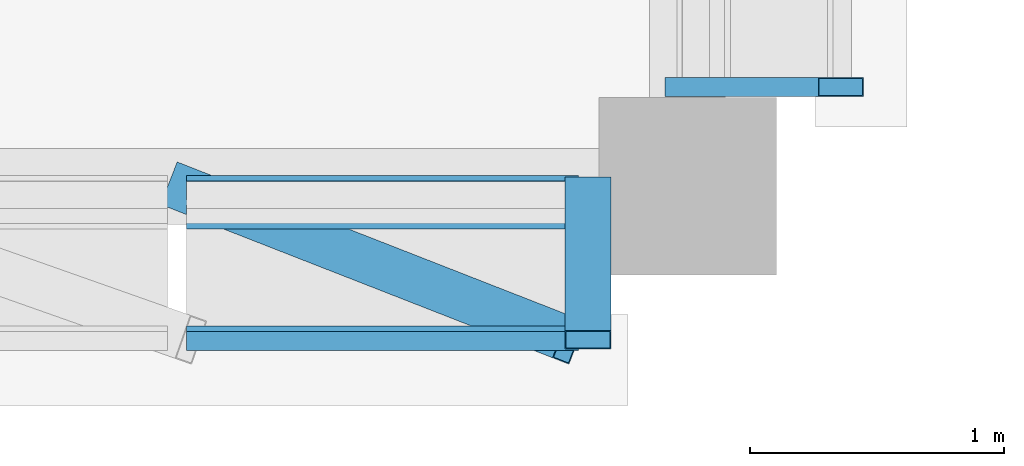
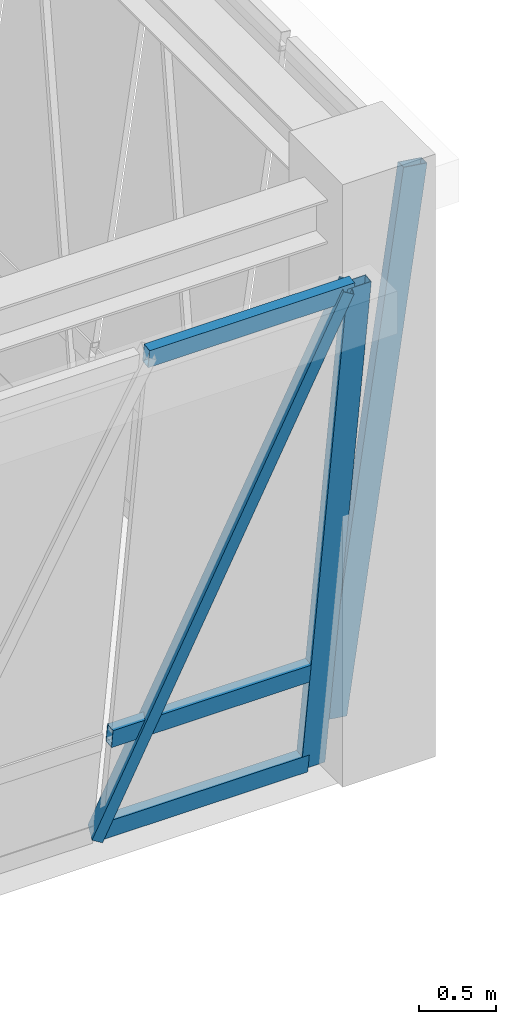
# One storey, part 50 of 92: 6 members, 2 elements without a shape of their own.
"""IFC4 building model written with IfcOpenShell, lengths in metres."""

from ifc_helpers import new_model, si_unit, direction, frame, origin, origin_2d, place, context, subcontext, project, spatial, hollow_rectangle, extrude, material, material_profile, profile_set, type_object, element, aggregate, save


model = new_model("IFC4")

# Units and contexts
model_context = context("Model", 3, precision=1e-05, world=origin(), true_north=direction((0.0, 1.0)))
body_context = subcontext(model_context, "Body", "Model", "MODEL_VIEW")
ifc_project = project(units=[si_unit("LENGTHUNIT", "METRE"), si_unit("AREAUNIT", "SQUARE_METRE"), si_unit("VOLUMEUNIT", "CUBIC_METRE"), si_unit("PLANEANGLEUNIT", "RADIAN"), si_unit("MASSUNIT", "GRAM", prefix="KILO")], contexts=[model_context])

# Site, building, storey
site_placement = place(None, origin())
site = spatial("IfcSite", under=ifc_project, at=site_placement, CompositionType="ELEMENT")
building_placement = place(site_placement, origin())
building = spatial("IfcBuilding", under=site, at=building_placement, Name="Lykobir Media Centre", CompositionType="ELEMENT")
storey_placement = place(building_placement, frame((0.0, 0.0, 5.39990234375)))
storey = spatial("IfcBuildingStorey", under=building, at=storey_placement, Name="L01", CompositionType="ELEMENT", Elevation=5.39990234375)

# Curtain wall, members
ifc_material = material(Name="Anodized Aluminium AW-6060", Category="aluminium")
curtain_wall_type = type_object("IfcCurtainWallType", Name="CW-V6-CR1", PredefinedType="NOTDEFINED", material=ifc_material)
curtain_wall_1_placement = place(storey_placement, origin())
curtain_wall_1 = element("IfcCurtainWall", 1, at=curtain_wall_1_placement, inside=storey, type_object=curtain_wall_type, Name="Curtain wall CW2-L01-0057", PredefinedType="NOTDEFINED")
ifc_material_profile_1 = material_profile(ifc_material, hollow_rectangle(XDim=0.074951171875, YDim=0.179931640625, WallThickness=0.00390625, at=origin_2d()), Name="ALU MULLION 75x180")
ifc_profile_set_1 = profile_set([ifc_material_profile_1], Name="Anodized Aluminium AW-6060")
member_type_1 = type_object("IfcMemberType", Name="CWM-180", PredefinedType="MULLION", material=ifc_profile_set_1)
member_1_placement = place(storey_placement, frame((78.987060546875, 63.0, 0.0), z_axis=(0.34256027137, -0.133993559544, 0.929891491777), x_axis=(-0.865999136953, 0.338738366998, 0.367833948298)))
member_1 = element("IfcMember", 2, at=member_1_placement, type_object=member_type_1, Name="CW2-L01-0057 mullion 5", PredefinedType="MULLION", context=body_context, shape_type="SweptSolid", body=[
    extrude(hollow_rectangle(XDim=0.074951171875, YDim=0.179931640625, WallThickness=0.00390625, at=origin_2d()), origin(), (0.0, 0.0, 1.0), 4.511474609375),
])
member_2_placement = place(storey_placement, frame((80.607421875, 63.0, 0.0), z_axis=(0.0, -0.142622832142, 0.989777110137), x_axis=(0.0, 0.989777110137, 0.142622832142)))
member_2 = element("IfcMember", 3, at=member_2_placement, type_object=member_type_1, Name="CW2-L01-0057 mullion 6", PredefinedType="MULLION", context=body_context, shape_type="SweptSolid", body=[
    extrude(hollow_rectangle(XDim=0.074951171875, YDim=0.179931640625, WallThickness=0.00390625, at=origin_2d()), origin(), (0.0, 0.0, 1.0), 4.23828125),
])

# Curtain wall, member
curtain_wall_2_placement = place(storey_placement, origin())
curtain_wall_2 = element("IfcCurtainWall", 4, at=curtain_wall_2_placement, inside=storey, type_object=curtain_wall_type, Name="Curtain wall CW2-L01-0058", PredefinedType="NOTDEFINED")
member_3_placement = place(storey_placement, frame((81.0, 63.392578125, 0.0), z_axis=(0.142622832142, 0.0, 0.989777110137), x_axis=(0.0, -1.0, 0.0)))
member_3 = element("IfcMember", 5, at=member_3_placement, type_object=member_type_1, Name="CW2-L01-0058 mullion 1", PredefinedType="MULLION", context=body_context, shape_type="SweptSolid", body=[
    extrude(hollow_rectangle(XDim=0.074951171875, YDim=0.179931640625, WallThickness=0.00390625, at=origin_2d()), origin(), (0.0, 0.0, 1.0), 4.23828125),
])
aggregate(curtain_wall_2, [member_3])

# Member
ifc_material_profile_2 = material_profile(ifc_material, hollow_rectangle(XDim=0.074951171875, YDim=0.14990234375, WallThickness=0.00341796875, at=origin_2d()), Name="ALU TRANSOM 75x150")
ifc_profile_set_2 = profile_set([ifc_material_profile_2], Name="Anodized Aluminium AW-6060")
member_type_2 = type_object("IfcMemberType", Name="CWT-150", PredefinedType="USERDEFINED", material=ifc_profile_set_2)
member_4_placement = place(storey_placement, frame((79.0244140625, 62.99462890625, 0.037109375), z_axis=(1.0, 0.0, 0.0), x_axis=(0.0, 0.989776230908, 0.142628933706)))
member_4 = element("IfcMember", 6, at=member_4_placement, type_object=member_type_2, Name="CW2-L01-0057 transom 5.1", ObjectType="TRANSOM", PredefinedType="USERDEFINED", context=body_context, shape_type="SweptSolid", body=[
    extrude(hollow_rectangle(XDim=0.074951171875, YDim=0.14990234375, WallThickness=0.00341796875, at=origin_2d()), origin(), (0.0, 0.0, 1.0), 1.545654296875),
])

member_5_placement = place(storey_placement, frame((79.0244140625, 62.87890625, 0.84130859375), z_axis=(1.0, 0.0, 0.0), x_axis=(0.0, 0.989776230908, 0.142628933706)))
member_5 = element("IfcMember", 7, at=member_5_placement, type_object=member_type_2, Name="CW2-L01-0057 transom 5.2", ObjectType="TRANSOM", PredefinedType="USERDEFINED", context=body_context, shape_type="SweptSolid", body=[
    extrude(hollow_rectangle(XDim=0.074951171875, YDim=0.14990234375, WallThickness=0.00341796875, at=origin_2d()), origin(), (0.0, 0.0, 1.0), 1.545654296875),
])

member_6_placement = place(storey_placement, frame((79.0244140625, 62.40087890625, 4.157958984375), z_axis=(1.0, 0.0, 0.0), x_axis=(0.0, 0.989776230908, 0.142628933706)))
member_6 = element("IfcMember", 8, at=member_6_placement, type_object=member_type_2, Name="CW2-L01-0057 transom 5.3", ObjectType="TRANSOM", PredefinedType="USERDEFINED", context=body_context, shape_type="SweptSolid", body=[
    extrude(hollow_rectangle(XDim=0.074951171875, YDim=0.14990234375, WallThickness=0.00341796875, at=origin_2d()), origin(), (0.0, 0.0, 1.0), 1.545654296875),
])

aggregate(curtain_wall_1, [member_1, member_2, member_4, member_5, member_6])

save(model, "model.ifc")
